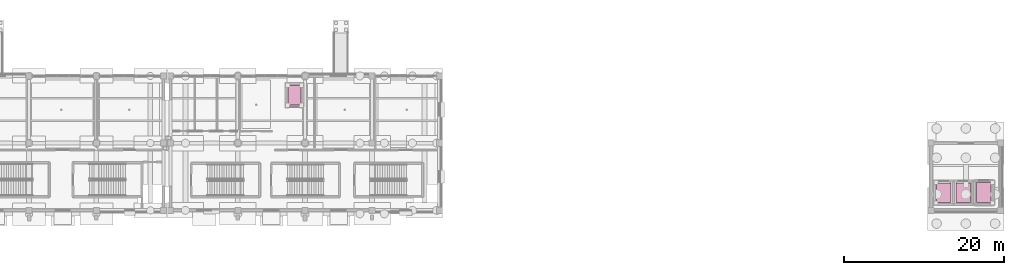
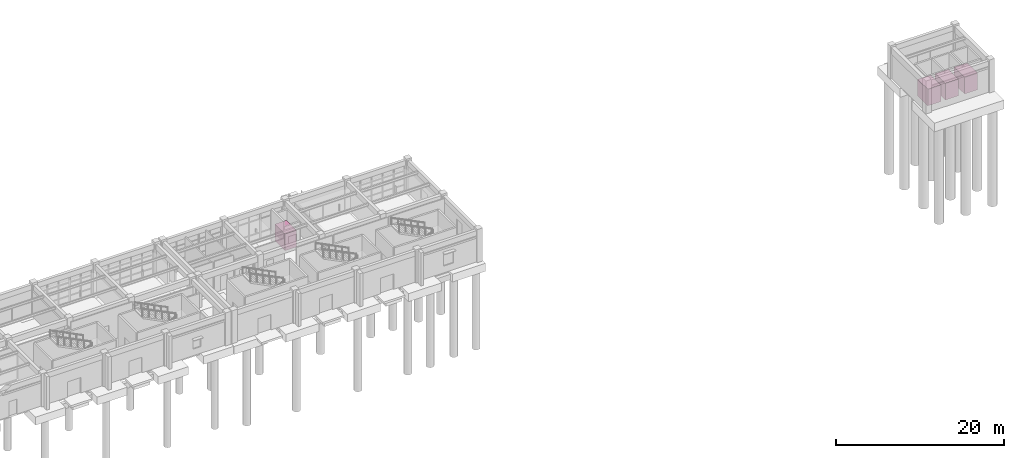
# One storey, part 29 of 29: 4 transport elements.
"""IFC4 building model written with IfcOpenShell, lengths in metres."""

from ifc_helpers import new_model, si_unit, direction, frame, origin, origin_2d, place, context, subcontext, project, spatial, rectangle, extrude, material, type_object, element, save


model = new_model("IFC4")

# Units and contexts
model_context = context("Model", 3, precision=1e-05, world=origin(), true_north=direction((0.0, 1.0)))
body_context = subcontext(model_context, "Body", "Model", "MODEL_VIEW")
ifc_project = project(units=[si_unit("LENGTHUNIT", "METRE"), si_unit("AREAUNIT", "SQUARE_METRE"), si_unit("VOLUMEUNIT", "CUBIC_METRE"), si_unit("PLANEANGLEUNIT", "RADIAN"), si_unit("MASSUNIT", "GRAM", prefix="KILO")], contexts=[model_context])

# Site, building, storey
site_placement = place(None, origin())
site = spatial("IfcSite", under=ifc_project, at=site_placement, CompositionType="ELEMENT")
building_placement = place(site_placement, origin())
building = spatial("IfcBuilding", under=site, at=building_placement, Name="Canglan Escarpment Cableway Terminal", CompositionType="ELEMENT")
storey_placement = place(building_placement, origin())
storey = spatial("IfcBuildingStorey", under=building, at=storey_placement, Name="L00", CompositionType="ELEMENT", Elevation=0.0)

# Transport elements
ifc_material = material(Name="Brushed stainless steel passenger lift car", Category="steel")
transport_element_type_1 = type_object("IfcTransportElementType", Name="LFT-FIRE-1800x2500", PredefinedType="ELEVATOR", material=ifc_material)
transport_element_1_placement = place(storey_placement, frame((144.199951171875, 10.199951171875, 0.0), z_axis=(0.0, 0.0, 1.0), x_axis=(1.0, 0.0, 0.0)))
element("IfcTransportElement", 1, at=transport_element_1_placement, inside=storey, type_object=transport_element_type_1, Name="Firefighting and stretcher elevator LF-07", PredefinedType="ELEVATOR", context=body_context, shape_type="SweptSolid", body=[
    extrude(rectangle(XDim=1.800048828125, YDim=2.5, at=origin_2d()), origin(), (0.0, 0.0, 1.0), 2.39990234375),
])
transport_element_type_2 = type_object("IfcTransportElementType", Name="LFT-PASS-1600x2400", PredefinedType="ELEVATOR", material=ifc_material)
transport_element_2_placement = place(storey_placement, frame((58.0, 22.39990234375, 0.0), z_axis=(0.0, 0.0, 1.0), x_axis=(1.0, 0.0, 0.0)))
element("IfcTransportElement", 2, at=transport_element_2_placement, inside=storey, type_object=transport_element_type_2, Name="Passenger elevator LF-05", PredefinedType="ELEVATOR", context=body_context, shape_type="SweptSolid", body=[
    extrude(rectangle(XDim=1.60009765625, YDim=2.39990234375, at=origin_2d()), origin(), (0.0, 0.0, 1.0), 2.39990234375),
])
transport_element_type_3 = type_object("IfcTransportElementType", Name="LFT-PASS-1800x2400", PredefinedType="ELEVATOR", material=ifc_material)
for number, where, z_axis, x_axis, name in (
    (3, (139.199951171875, 10.199951171875, 0.0), (0.0, 0.0, 1.0), (1.0, 0.0, 0.0), "Passenger elevator LF-01"),
    (4, (141.60009765625, 10.199951171875, 0.0), (0.0, 0.0, 1.0), (1.0, 0.0, 0.0), "Passenger elevator LF-02"),
):
    element("IfcTransportElement", number, at=place(storey_placement, frame(where, z_axis=z_axis, x_axis=x_axis)), inside=storey, type_object=transport_element_type_3, Name=name, PredefinedType="ELEVATOR", context=body_context, shape_type="SweptSolid", body=[
        extrude(rectangle(XDim=1.800048828125, YDim=2.39990234375, at=origin_2d()), origin(), (0.0, 0.0, 1.0), 2.39990234375),
    ])

save(model, "model.ifc")
